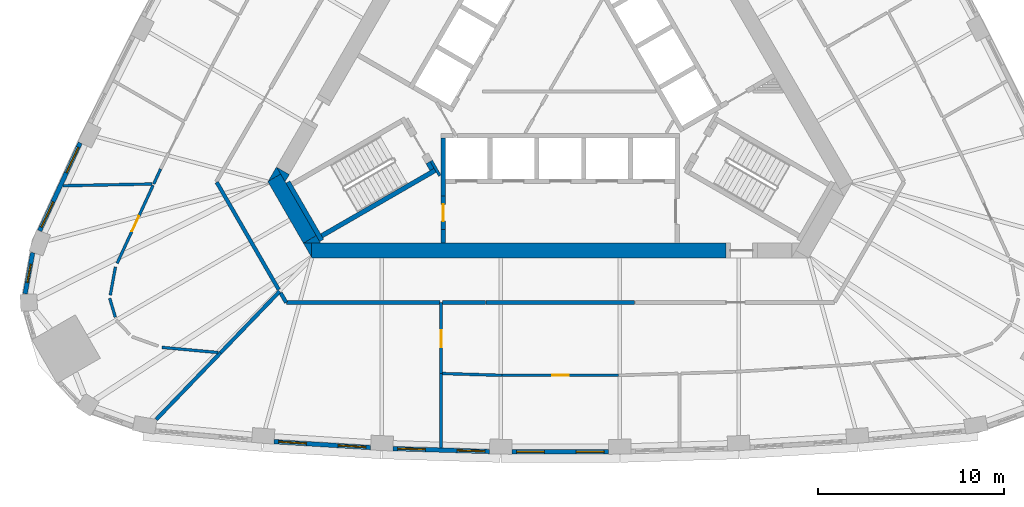
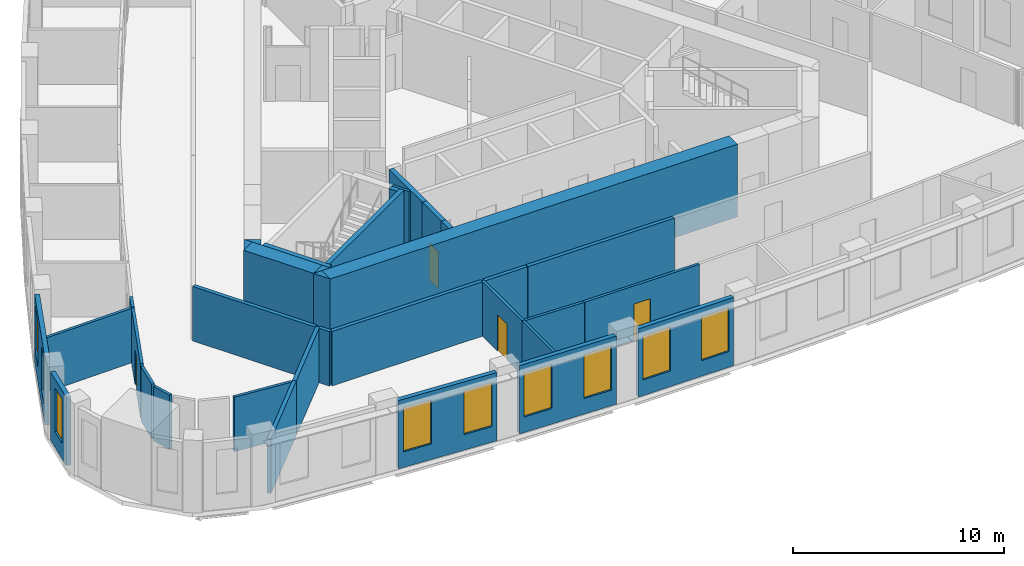
# One storey, part 3 of 11: 35 walls, 9 windows, 4 doors, 13 openings.
"""IFC4 building model written with IfcOpenShell, lengths in metres."""

from ifc_helpers import new_model, si_unit, direction, frame, frame_2d, origin, place, context, subcontext, project, spatial, polyline, rectangle, outline, extrude, material, layer, layer_set, type_object, element, fill, save


model = new_model("IFC4")

# Units and contexts
model_context = context("Model", 3, precision=1e-05, world=origin(), true_north=direction((0.0, 1.0)))
body_context = subcontext(model_context, "Body", "Model", "MODEL_VIEW")
ifc_project = project(units=[si_unit("LENGTHUNIT", "METRE"), si_unit("AREAUNIT", "SQUARE_METRE"), si_unit("VOLUMEUNIT", "CUBIC_METRE"), si_unit("PLANEANGLEUNIT", "RADIAN"), si_unit("MASSUNIT", "GRAM", prefix="KILO")], contexts=[model_context])

# Site, building, storey
site_placement = place(None, origin())
site = spatial("IfcSite", under=ifc_project, at=site_placement, CompositionType="ELEMENT")
building_placement = place(site_placement, origin())
building = spatial("IfcBuilding", under=site, at=building_placement, Name="Mestral Congress Tower", CompositionType="ELEMENT")
storey_placement = place(building_placement, frame((0.0, 0.0, 171.0)))
storey = spatial("IfcBuildingStorey", under=building, at=storey_placement, Name="L40", CompositionType="ELEMENT", Elevation=171.0)

# Walls
ifc_material_1 = material(Name="Concrete C60/75", Category="concrete")
ifc_layer_1 = layer(ifc_material_1, 0.800048828125)
ifc_layer_set_1 = layer_set([ifc_layer_1], Name="Concrete C60/75")
wall_type_1 = type_object("IfcWallType", Name="Core wall RC 800", PredefinedType="SOLIDWALL", material=ifc_layer_set_1)
wall_1_placement = place(storey_placement, frame((-13.377685546875, -10.050048828125, 0.0), z_axis=(0.0, 0.0, 1.0), x_axis=(1.0, 0.0, 0.0)))
element("IfcWall", 1, at=wall_1_placement, inside=storey, type_object=wall_type_1, Name="L40 core wall", PredefinedType="SOLIDWALL", context=body_context, shape_type="SweptSolid", body=[
    extrude(rectangle(XDim=22.281982421875, YDim=0.800048828125, at=frame_2d((11.14111328125, 0.0))), origin(), (0.0, 0.0, 1.0), 4.199951171875),
])
placement = place(storey_placement, origin())
element("IfcWall", 2, at=placement, inside=storey, type_object=wall_type_1, Name="L40 core wall", PredefinedType="SOLIDWALL", context=body_context, shape_type="SweptSolid", body=[
    extrude(outline(polyline([(-13.82763671875, -9.64990234375), (-13.379638671875, -9.64990234375), (-13.379638671875, -10.42578125), (-13.82763671875, -9.64990234375)])), origin(), (0.0, 0.0, 1.0), 4.199951171875),
])
wall_3_placement = place(storey_placement, frame((-15.392333984375, -6.1396484375, 0.0), z_axis=(0.0, 0.0, 1.0), x_axis=(0.499984020225, -0.866034629516, 0.0)))
element("IfcWall", 3, at=wall_3_placement, inside=storey, type_object=wall_type_1, Name="L40 core wall", PredefinedType="SOLIDWALL", context=body_context, shape_type="SweptSolid", body=[
    extrude(rectangle(XDim=3.824462890625, YDim=0.800048828125, at=frame_2d((1.912109375, 0.0))), origin(), (0.0, 0.0, 1.0), 4.199951171875),
])
element("IfcWall", 4, at=placement, inside=storey, type_object=wall_type_1, Name="L40 core wall", PredefinedType="SOLIDWALL", context=body_context, shape_type="SweptSolid", body=[
    extrude(outline(polyline([(-15.046875, -5.93798828125), (-15.718994140625, -6.325927734375), (-15.27099609375, -5.550048828125), (-15.046875, -5.93798828125)])), origin(), (0.0, 0.0, 1.0), 4.199951171875),
])
element("IfcWall", 5, at=placement, inside=storey, type_object=wall_type_1, Name="L40 core wall", PredefinedType="SOLIDWALL", context=body_context, shape_type="SweptSolid", body=[
    extrude(outline(polyline([(-12.90380859375, -9.64990234375), (-13.81982421875, -9.64990234375), (-13.1328125, -9.25341796875), (-12.90380859375, -9.64990234375)])), origin(), (0.0, 0.0, 1.0), 4.199951171875),
])
element("IfcWall", 6, at=placement, inside=storey, type_object=wall_type_1, Name="L40 core wall", PredefinedType="SOLIDWALL", context=body_context, shape_type="SweptSolid", body=[
    extrude(outline(polyline([(-14.80908203125, -6.35009765625), (-15.257080078125, -5.573974609375), (-14.5849609375, -5.9619140625), (-14.80908203125, -6.35009765625)])), origin(), (0.0, 0.0, 1.0), 4.199951171875),
])

# Wall, openings, windows
ifc_material_2 = material(Name="Precast concrete C40/50 with limestone facing", Category="masonry")
ifc_layer_2 = layer(ifc_material_2, 0.239990234375)
ifc_layer_set_2 = layer_set([ifc_layer_2], Name="Precast concrete C40/50 with limestone facing")
wall_type_2 = type_object("IfcWallType", Name="Facade stone wall 240", PredefinedType="SOLIDWALL", material=ifc_layer_set_2)
wall_7_placement = place(storey_placement, frame((-15.404541015625, -20.33837890625, 0.0), z_axis=(0.0, 0.0, 1.0), x_axis=(0.998135294646, -0.061040425794, 0.0)))
wall_7 = element("IfcWall", 7, at=wall_7_placement, inside=storey, type_object=wall_type_2, Name="Facade wall F0-01", PredefinedType="SOLIDWALL", context=body_context, shape_type="SweptSolid", body=[
    extrude(rectangle(XDim=5.20361328125, YDim=0.239990234375, at=frame_2d((2.601806640625, 0.0))), origin(), (0.0, 0.0, 1.0), 3.949951171875),
])
opening_1_placement = place(wall_7_placement, frame((0.248291015625, 0.0, 0.89990234375)))
opening_1 = element("IfcOpeningElement", 8, at=opening_1_placement, cuts=wall_7, Name="Opening W4", PredefinedType="OPENING", context=body_context, shape_type="SweptSolid", body=[
    extrude(rectangle(XDim=1.5, YDim=2.550048828125, at=frame_2d((0.75, 1.27490234375))), frame((0.0, 0.1298828125, 0.0), z_axis=(0.0, -1.0, 0.0), x_axis=(1.0, 0.0, 0.0)), (0.0, 0.0, 1.0), 0.260009765625),
])
opening_2_placement = place(wall_7_placement, frame((3.455078125, 0.0, 0.89990234375)))
opening_2 = element("IfcOpeningElement", 9, at=opening_2_placement, cuts=wall_7, Name="Opening W4", PredefinedType="OPENING", context=body_context, shape_type="SweptSolid", body=[
    extrude(rectangle(XDim=1.5, YDim=2.550048828125, at=frame_2d((0.75, 1.27490234375))), frame((0.0, 0.1298828125, 0.0), z_axis=(0.0, -1.0, 0.0), x_axis=(1.0, 0.0, 0.0)), (0.0, 0.0, 1.0), 0.260009765625),
])
ifc_material_3 = material(Name="Clear low-emissivity double glazing", Category="glass")
window_type_1 = type_object("IfcWindowType", Name="Facade punched window 1500 x 2550 sill 900", PartitioningType="SINGLE_PANEL", PredefinedType="WINDOW", material=ifc_material_3)
window_1_placement = place(opening_1_placement, origin())
window_1 = element("IfcWindow", 10, at=window_1_placement, inside=storey, type_object=window_type_1, Name="Window F0-01a", OverallHeight=2.550048828125, OverallWidth=1.5, PartitioningType="SINGLE_PANEL", PredefinedType="WINDOW", context=body_context, shape_type="SweptSolid", body=[
    extrude(rectangle(XDim=1.5, YDim=2.550048828125, at=frame_2d((0.75, 1.27490234375))), frame((0.0, 0.0400390625, 0.0), z_axis=(0.0, -1.0, 0.0), x_axis=(1.0, 0.0, 0.0)), (0.0, 0.0, 1.0), 0.06005859375),
])
fill(opening_1, window_1)
window_2_placement = place(opening_2_placement, origin())
window_2 = element("IfcWindow", 11, at=window_2_placement, inside=storey, type_object=window_type_1, Name="Window F0-01b", OverallHeight=2.550048828125, OverallWidth=1.5, PartitioningType="SINGLE_PANEL", PredefinedType="WINDOW", context=body_context, shape_type="SweptSolid", body=[
    extrude(rectangle(XDim=1.5, YDim=2.550048828125, at=frame_2d((0.75, 1.27490234375))), frame((0.0, 0.0400390625, 0.0), z_axis=(0.0, -1.0, 0.0), x_axis=(1.0, 0.0, 0.0)), (0.0, 0.0, 1.0), 0.06005859375),
])
fill(opening_2, window_2)

wall_8_placement = place(storey_placement, frame((-9.00732421875, -20.7109375, 0.0), z_axis=(0.0, 0.0, 1.0), x_axis=(0.999533441983, -0.030543384845, 0.0)))
wall_8 = element("IfcWall", 12, at=wall_8_placement, inside=storey, type_object=wall_type_2, Name="Facade wall F0-02", PredefinedType="SOLIDWALL", context=body_context, shape_type="SweptSolid", body=[
    extrude(rectangle(XDim=5.20361328125, YDim=0.239990234375, at=frame_2d((2.601806640625, 0.0))), origin(), (0.0, 0.0, 1.0), 3.949951171875),
])
opening_3_placement = place(wall_8_placement, frame((0.248291015625, 0.0, 0.89990234375)))
opening_3 = element("IfcOpeningElement", 13, at=opening_3_placement, cuts=wall_8, Name="Opening W4", PredefinedType="OPENING", context=body_context, shape_type="SweptSolid", body=[
    extrude(rectangle(XDim=1.5, YDim=2.550048828125, at=frame_2d((0.75, 1.27490234375))), frame((0.0, 0.1298828125, 0.0), z_axis=(0.0, -1.0, 0.0), x_axis=(1.0, 0.0, 0.0)), (0.0, 0.0, 1.0), 0.260009765625),
])
opening_4_placement = place(wall_8_placement, frame((3.455078125, 0.0, 0.89990234375)))
opening_4 = element("IfcOpeningElement", 14, at=opening_4_placement, cuts=wall_8, Name="Opening W4", PredefinedType="OPENING", context=body_context, shape_type="SweptSolid", body=[
    extrude(rectangle(XDim=1.5, YDim=2.550048828125, at=frame_2d((0.75, 1.27490234375))), frame((0.0, 0.1298828125, 0.0), z_axis=(0.0, -1.0, 0.0), x_axis=(1.0, 0.0, 0.0)), (0.0, 0.0, 1.0), 0.260009765625),
])
window_3_placement = place(opening_3_placement, origin())
window_3 = element("IfcWindow", 15, at=window_3_placement, inside=storey, type_object=window_type_1, Name="Window F0-02a", OverallHeight=2.550048828125, OverallWidth=1.5, PartitioningType="SINGLE_PANEL", PredefinedType="WINDOW", context=body_context, shape_type="SweptSolid", body=[
    extrude(rectangle(XDim=1.5, YDim=2.550048828125, at=frame_2d((0.75, 1.27490234375))), frame((0.0, 0.0400390625, 0.0), z_axis=(0.0, -1.0, 0.0), x_axis=(1.0, 0.0, 0.0)), (0.0, 0.0, 1.0), 0.06005859375),
])
fill(opening_3, window_3)
window_4_placement = place(opening_4_placement, origin())
window_4 = element("IfcWindow", 16, at=window_4_placement, inside=storey, type_object=window_type_1, Name="Window F0-02b", OverallHeight=2.550048828125, OverallWidth=1.5, PartitioningType="SINGLE_PANEL", PredefinedType="WINDOW", context=body_context, shape_type="SweptSolid", body=[
    extrude(rectangle(XDim=1.5, YDim=2.550048828125, at=frame_2d((0.75, 1.27490234375))), frame((0.0, 0.0400390625, 0.0), z_axis=(0.0, -1.0, 0.0), x_axis=(1.0, 0.0, 0.0)), (0.0, 0.0, 1.0), 0.06005859375),
])
fill(opening_4, window_4)

wall_9_placement = place(storey_placement, frame((-2.601806640625, -20.88818359375, 0.0), z_axis=(0.0, 0.0, 1.0), x_axis=(1.0, 0.0, 0.0)))
wall_9 = element("IfcWall", 17, at=wall_9_placement, inside=storey, type_object=wall_type_2, Name="Facade wall F0-03", PredefinedType="SOLIDWALL", context=body_context, shape_type="SweptSolid", body=[
    extrude(rectangle(XDim=5.20361328125, YDim=0.239990234375, at=frame_2d((2.601806640625, 0.0))), origin(), (0.0, 0.0, 1.0), 3.949951171875),
])
opening_5_placement = place(wall_9_placement, frame((0.248291015625, 0.0, 0.89990234375)))
opening_5 = element("IfcOpeningElement", 18, at=opening_5_placement, cuts=wall_9, Name="Opening W4", PredefinedType="OPENING", context=body_context, shape_type="SweptSolid", body=[
    extrude(rectangle(XDim=1.5, YDim=2.550048828125, at=frame_2d((0.75, 1.27490234375))), frame((0.0, 0.1298828125, 0.0), z_axis=(0.0, -1.0, 0.0), x_axis=(1.0, 0.0, 0.0)), (0.0, 0.0, 1.0), 0.260009765625),
])
opening_6_placement = place(wall_9_placement, frame((3.455078125, 0.0, 0.89990234375)))
opening_6 = element("IfcOpeningElement", 19, at=opening_6_placement, cuts=wall_9, Name="Opening W4", PredefinedType="OPENING", context=body_context, shape_type="SweptSolid", body=[
    extrude(rectangle(XDim=1.5, YDim=2.550048828125, at=frame_2d((0.75, 1.27490234375))), frame((0.0, 0.1298828125, 0.0), z_axis=(0.0, -1.0, 0.0), x_axis=(1.0, 0.0, 0.0)), (0.0, 0.0, 1.0), 0.260009765625),
])
window_5_placement = place(opening_5_placement, origin())
window_5 = element("IfcWindow", 20, at=window_5_placement, inside=storey, type_object=window_type_1, Name="Window F0-03a", OverallHeight=2.550048828125, OverallWidth=1.5, PartitioningType="SINGLE_PANEL", PredefinedType="WINDOW", context=body_context, shape_type="SweptSolid", body=[
    extrude(rectangle(XDim=1.5, YDim=2.550048828125, at=frame_2d((0.75, 1.27490234375))), frame((0.0, 0.0400390625, 0.0), z_axis=(0.0, -1.0, 0.0), x_axis=(1.0, 0.0, 0.0)), (0.0, 0.0, 1.0), 0.06005859375),
])
fill(opening_5, window_5)
window_6_placement = place(opening_6_placement, origin())
window_6 = element("IfcWindow", 21, at=window_6_placement, inside=storey, type_object=window_type_1, Name="Window F0-03b", OverallHeight=2.550048828125, OverallWidth=1.5, PartitioningType="SINGLE_PANEL", PredefinedType="WINDOW", context=body_context, shape_type="SweptSolid", body=[
    extrude(rectangle(XDim=1.5, YDim=2.550048828125, at=frame_2d((0.75, 1.27490234375))), frame((0.0, 0.0400390625, 0.0), z_axis=(0.0, -1.0, 0.0), x_axis=(1.0, 0.0, 0.0)), (0.0, 0.0, 1.0), 0.06005859375),
])
fill(opening_6, window_6)

wall_10_placement = place(storey_placement, frame((-25.8369140625, -4.2578125, 0.0), z_axis=(0.0, 0.0, 1.0), x_axis=(-0.418722559465, -0.908114209885, 0.0)))
wall_10 = element("IfcWall", 22, at=wall_10_placement, inside=storey, type_object=wall_type_2, Name="Facade wall F2-06", PredefinedType="SOLIDWALL", context=body_context, shape_type="SweptSolid", body=[
    extrude(rectangle(XDim=5.213134765625, YDim=0.239990234375, at=frame_2d((2.6064453125, 0.0))), origin(), (0.0, 0.0, 1.0), 3.949951171875),
])
opening_7_placement = place(wall_10_placement, frame((0.2607421875, 0.0, 0.89990234375)))
opening_7 = element("IfcOpeningElement", 23, at=opening_7_placement, cuts=wall_10, Name="Opening W4", PredefinedType="OPENING", context=body_context, shape_type="SweptSolid", body=[
    extrude(rectangle(XDim=1.5, YDim=2.550048828125, at=frame_2d((0.75, 1.27490234375))), frame((0.0, 0.1298828125, 0.0), z_axis=(0.0, -1.0, 0.0), x_axis=(1.0, 0.0, 0.0)), (0.0, 0.0, 1.0), 0.260009765625),
])
opening_8_placement = place(wall_10_placement, frame((3.492431640625, 0.0, 0.89990234375)))
opening_8 = element("IfcOpeningElement", 24, at=opening_8_placement, cuts=wall_10, Name="Opening W4", PredefinedType="OPENING", context=body_context, shape_type="SweptSolid", body=[
    extrude(rectangle(XDim=1.5, YDim=2.550048828125, at=frame_2d((0.75, 1.27490234375))), frame((0.0, 0.1298828125, 0.0), z_axis=(0.0, -1.0, 0.0), x_axis=(1.0, 0.0, 0.0)), (0.0, 0.0, 1.0), 0.260009765625),
])
window_7_placement = place(opening_7_placement, origin())
window_7 = element("IfcWindow", 25, at=window_7_placement, inside=storey, type_object=window_type_1, Name="Window F2-06a", OverallHeight=2.550048828125, OverallWidth=1.5, PartitioningType="SINGLE_PANEL", PredefinedType="WINDOW", context=body_context, shape_type="SweptSolid", body=[
    extrude(rectangle(XDim=1.5, YDim=2.550048828125, at=frame_2d((0.75, 1.27490234375))), frame((0.0, 0.0400390625, 0.0), z_axis=(0.0, -1.0, 0.0), x_axis=(1.0, 0.0, 0.0)), (0.0, 0.0, 1.0), 0.06005859375),
])
fill(opening_7, window_7)
window_8_placement = place(opening_8_placement, origin())
window_8 = element("IfcWindow", 26, at=window_8_placement, inside=storey, type_object=window_type_1, Name="Window F2-06b", OverallHeight=2.550048828125, OverallWidth=1.5, PartitioningType="SINGLE_PANEL", PredefinedType="WINDOW", context=body_context, shape_type="SweptSolid", body=[
    extrude(rectangle(XDim=1.5, YDim=2.550048828125, at=frame_2d((0.75, 1.27490234375))), frame((0.0, 0.0400390625, 0.0), z_axis=(0.0, -1.0, 0.0), x_axis=(1.0, 0.0, 0.0)), (0.0, 0.0, 1.0), 0.06005859375),
])
fill(opening_8, window_8)

# Wall, opening, window
wall_11_placement = place(storey_placement, frame((-28.392578125, -10.166748046875, 0.0), z_axis=(0.0, 0.0, 1.0), x_axis=(-0.180737189259, -0.983531427265, 0.0)))
wall_11 = element("IfcWall", 27, at=wall_11_placement, inside=storey, type_object=wall_type_2, Name="Facade wall K2-0", PredefinedType="SOLIDWALL", context=body_context, shape_type="SweptSolid", body=[
    extrude(rectangle(XDim=2.25048828125, YDim=0.239990234375, at=frame_2d((1.125244140625, 0.0))), origin(), (0.0, 0.0, 1.0), 3.949951171875),
])
opening_9_placement = place(wall_11_placement, frame((0.625244140625, 0.0, 0.89990234375)))
opening_9 = element("IfcOpeningElement", 28, at=opening_9_placement, cuts=wall_11, Name="Opening W5", PredefinedType="OPENING", context=body_context, shape_type="SweptSolid", body=[
    extrude(rectangle(XDim=1.0, YDim=2.550048828125, at=frame_2d((0.5, 1.27490234375))), frame((0.0, 0.1298828125, 0.0), z_axis=(0.0, -1.0, 0.0), x_axis=(1.0, 0.0, 0.0)), (0.0, 0.0, 1.0), 0.260009765625),
])
window_type_2 = type_object("IfcWindowType", Name="Facade punched window 1000 x 2550 sill 900", PartitioningType="SINGLE_PANEL", PredefinedType="WINDOW", material=ifc_material_3)
window_9_placement = place(opening_9_placement, origin())
window_9 = element("IfcWindow", 29, at=window_9_placement, inside=storey, type_object=window_type_2, Name="Window K2-0", OverallHeight=2.550048828125, OverallWidth=1.0, PartitioningType="SINGLE_PANEL", PredefinedType="WINDOW", context=body_context, shape_type="SweptSolid", body=[
    extrude(rectangle(XDim=1.0, YDim=2.550048828125, at=frame_2d((0.5, 1.27490234375))), frame((0.0, 0.0400390625, 0.0), z_axis=(0.0, -1.0, 0.0), x_axis=(1.0, 0.0, 0.0)), (0.0, 0.0, 1.0), 0.06005859375),
])
fill(opening_9, window_9)

# Wall
ifc_material_4 = material(Name="Plasterboard partition on steel studs", Category="steel")
ifc_layer_3 = layer(ifc_material_4, 0.14990234375)
ifc_layer_set_3 = layer_set([ifc_layer_3], Name="Plasterboard partition on steel studs")
wall_type_3 = type_object("IfcWallType", Name="Office partition 150", PredefinedType="PARTITIONING", material=ifc_layer_set_3)
wall_12_placement = place(storey_placement, frame((-6.412109375, -16.664306640625, 0.0), z_axis=(0.0, 0.0, 1.0), x_axis=(0.0, -1.0, 0.0)))
element("IfcWall", 30, at=wall_12_placement, inside=storey, type_object=wall_type_3, Name="Partition", PredefinedType="PARTITIONING", context=body_context, shape_type="SweptSolid", body=[
    extrude(rectangle(XDim=4.005859375, YDim=0.14990234375, at=frame_2d((2.0029296875, 0.0))), origin(), (0.0, 0.0, 1.0), 3.14990234375),
])

# Wall, opening, door
wall_13_placement = place(storey_placement, frame((-6.412109375, -16.67236328125, 0.0), z_axis=(0.0, 0.0, 1.0), x_axis=(0.0, 1.0, 0.0)))
wall_13 = element("IfcWall", 31, at=wall_13_placement, inside=storey, type_object=wall_type_3, Name="Partition", PredefinedType="PARTITIONING", context=body_context, shape_type="SweptSolid", body=[
    extrude(rectangle(XDim=3.822265625, YDim=0.14990234375, at=frame_2d((1.9111328125, 0.0))), origin(), (0.0, 0.0, 1.0), 3.14990234375),
])
opening_10_placement = place(wall_13_placement, frame((1.42236328125, 0.0, 0.0)))
opening_10 = element("IfcOpeningElement", 32, at=opening_10_placement, cuts=wall_13, Name="Opening O03-001", PredefinedType="OPENING", context=body_context, shape_type="SweptSolid", body=[
    extrude(rectangle(XDim=0.89990234375, YDim=2.10009765625, at=frame_2d((0.449951171875, 1.050048828125))), frame((0.0, 0.0849609375, 0.0), z_axis=(0.0, -1.0, 0.0), x_axis=(1.0, 0.0, 0.0)), (0.0, 0.0, 1.0), 0.169921875),
])
ifc_material_5 = material(Name="Timber door set", Category="wood")
door_type_1 = type_object("IfcDoorType", Name="Office door 900x2100", OperationType="SINGLE_SWING_LEFT", PredefinedType="DOOR", material=ifc_material_5)
door_1_placement = place(opening_10_placement, origin())
door_1 = element("IfcDoor", 33, at=door_1_placement, inside=storey, type_object=door_type_1, Name="Door O03-001", OperationType="SINGLE_SWING_LEFT", OverallHeight=2.10009765625, OverallWidth=0.89990234375, PredefinedType="DOOR", context=body_context, shape_type="SweptSolid", body=[
    extrude(rectangle(XDim=0.89990234375, YDim=2.10009765625, at=frame_2d((0.449951171875, 1.050048828125))), frame((0.0, 0.02490234375, 0.0), z_axis=(0.0, -1.0, 0.0), x_axis=(1.0, 0.0, 0.0)), (0.0, 0.0, 1.0), 0.050048828125),
])
fill(opening_10, door_1)

# Wall
wall_14_placement = place(storey_placement, frame((-6.3369140625, -16.670654296875, 0.0), z_axis=(0.0, 0.0, 1.0), x_axis=(0.999533369646, -0.030545751995, 0.0)))
element("IfcWall", 34, at=wall_14_placement, inside=storey, type_object=wall_type_3, Name="Partition", PredefinedType="PARTITIONING", context=body_context, shape_type="SweptSolid", body=[
    extrude(rectangle(XDim=3.197021484375, YDim=0.14990234375, at=frame_2d((1.5986328125, 0.0))), origin(), (0.0, 0.0, 1.0), 3.14990234375),
])

# Wall, opening, door
wall_15_placement = place(storey_placement, frame((3.141357421875, -16.768310546875, 0.0), z_axis=(0.0, 0.0, 1.0), x_axis=(-1.0, 0.0, 0.0)))
wall_15 = element("IfcWall", 35, at=wall_15_placement, inside=storey, type_object=wall_type_3, Name="Partition", PredefinedType="PARTITIONING", context=body_context, shape_type="SweptSolid", body=[
    extrude(rectangle(XDim=6.28271484375, YDim=0.14990234375, at=frame_2d((3.141357421875, 0.0))), origin(), (0.0, 0.0, 1.0), 3.14990234375),
])
opening_11_placement = place(wall_15_placement, frame((2.6826171875, 0.0, 0.0)))
opening_11 = element("IfcOpeningElement", 36, at=opening_11_placement, cuts=wall_15, Name="Opening O03-002", PredefinedType="OPENING", context=body_context, shape_type="SweptSolid", body=[
    extrude(rectangle(XDim=0.89990234375, YDim=2.10009765625, at=frame_2d((0.449951171875, 1.050048828125))), frame((0.0, 0.0849609375, 0.0), z_axis=(0.0, -1.0, 0.0), x_axis=(1.0, 0.0, 0.0)), (0.0, 0.0, 1.0), 0.169921875),
])
door_2_placement = place(opening_11_placement, origin())
door_2 = element("IfcDoor", 37, at=door_2_placement, inside=storey, type_object=door_type_1, Name="Door O03-002", OperationType="SINGLE_SWING_LEFT", OverallHeight=2.10009765625, OverallWidth=0.89990234375, PredefinedType="DOOR", context=body_context, shape_type="SweptSolid", body=[
    extrude(rectangle(XDim=0.89990234375, YDim=2.10009765625, at=frame_2d((0.449951171875, 1.050048828125))), frame((0.0, 0.02490234375, 0.0), z_axis=(0.0, -1.0, 0.0), x_axis=(1.0, 0.0, 0.0)), (0.0, 0.0, 1.0), 0.050048828125),
])
fill(opening_11, door_2)

# Walls
wall_16_placement = place(storey_placement, frame((-21.5087890625, -5.666015625, 0.0), z_axis=(0.0, 0.0, 1.0), x_axis=(-0.4188658149, -0.908048142506, 0.0)))
element("IfcWall", 38, at=wall_16_placement, inside=storey, type_object=wall_type_3, Name="Partition", PredefinedType="PARTITIONING", context=body_context, shape_type="SweptSolid", body=[
    extrude(rectangle(XDim=0.88525390625, YDim=0.14990234375, at=frame_2d((0.442626953125, 0.0))), origin(), (0.0, 0.0, 1.0), 3.14990234375),
])
wall_17_placement = place(storey_placement, frame((-21.962890625, -6.4716796875, 0.0), z_axis=(0.0, 0.0, 1.0), x_axis=(-0.999809788098, -0.019503528505, 0.0)))
element("IfcWall", 39, at=wall_17_placement, inside=storey, type_object=wall_type_3, Name="Partition", PredefinedType="PARTITIONING", context=body_context, shape_type="SweptSolid", body=[
    extrude(rectangle(XDim=4.806884765625, YDim=0.14990234375, at=frame_2d((2.4033203125, 0.0))), origin(), (0.0, 0.0, 1.0), 3.14990234375),
])
wall_18_placement = place(storey_placement, frame((-18.412109375, -15.54150390625, 0.0), z_axis=(0.0, 0.0, 1.0), x_axis=(-0.995812481052, 0.091419377496, 0.0)))
element("IfcWall", 40, at=wall_18_placement, inside=storey, type_object=wall_type_3, Name="Partition", PredefinedType="PARTITIONING", context=body_context, shape_type="SweptSolid", body=[
    extrude(rectangle(XDim=3.0390625, YDim=0.14990234375, at=frame_2d((1.51953125, 0.0))), origin(), (0.0, 0.0, 1.0), 3.14990234375),
])
wall_19_placement = place(storey_placement, frame((-23.944580078125, -13.638427734375, 0.0), z_axis=(0.0, 0.0, 1.0), x_axis=(-0.284463225945, 0.9586869526, 0.0)))
element("IfcWall", 41, at=wall_19_placement, inside=storey, type_object=wall_type_3, Name="Partition", PredefinedType="PARTITIONING", context=body_context, shape_type="SweptSolid", body=[
    extrude(rectangle(XDim=1.064208984375, YDim=0.14990234375, at=frame_2d((0.5322265625, 0.0))), origin(), (0.0, 0.0, 1.0), 3.14990234375),
])
wall_20_placement = place(storey_placement, frame((-24.21728515625, -12.455078125, 0.0), z_axis=(0.0, 0.0, 1.0), x_axis=(0.180635934027, 0.983550028894, 0.0)))
element("IfcWall", 42, at=wall_20_placement, inside=storey, type_object=wall_type_3, Name="Partition", PredefinedType="PARTITIONING", context=body_context, shape_type="SweptSolid", body=[
    extrude(rectangle(XDim=1.546142578125, YDim=0.14990234375, at=frame_2d((0.77294921875, 0.0))), origin(), (0.0, 0.0, 1.0), 3.14990234375),
])

# Wall, opening, door
wall_21_placement = place(storey_placement, frame((-23.848388671875, -10.73974609375, 0.0), z_axis=(0.0, 0.0, 1.0), x_axis=(0.418723219841, 0.908113905392, 0.0)))
wall_21 = element("IfcWall", 43, at=wall_21_placement, inside=storey, type_object=wall_type_3, Name="Partition", PredefinedType="PARTITIONING", context=body_context, shape_type="SweptSolid", body=[
    extrude(rectangle(XDim=4.62255859375, YDim=0.14990234375, at=frame_2d((2.311279296875, 0.0))), origin(), (0.0, 0.0, 1.0), 3.14990234375),
])
opening_12_placement = place(wall_21_placement, frame((1.89990234375, 0.0, 0.0)))
opening_12 = element("IfcOpeningElement", 44, at=opening_12_placement, cuts=wall_21, Name="Opening O03-021", PredefinedType="OPENING", context=body_context, shape_type="SweptSolid", body=[
    extrude(rectangle(XDim=0.89990234375, YDim=2.10009765625, at=frame_2d((0.449951171875, 1.050048828125))), frame((0.0, 0.0849609375, 0.0), z_axis=(0.0, -1.0, 0.0), x_axis=(1.0, 0.0, 0.0)), (0.0, 0.0, 1.0), 0.169921875),
])
door_3_placement = place(opening_12_placement, origin())
door_3 = element("IfcDoor", 45, at=door_3_placement, inside=storey, type_object=door_type_1, Name="Door O03-021", OperationType="SINGLE_SWING_RIGHT", OverallHeight=2.10009765625, OverallWidth=0.89990234375, PredefinedType="DOOR", context=body_context, shape_type="SweptSolid", body=[
    extrude(rectangle(XDim=0.89990234375, YDim=2.10009765625, at=frame_2d((0.449951171875, 1.050048828125))), frame((0.0, 0.02490234375, 0.0), z_axis=(0.0, -1.0, 0.0), x_axis=(1.0, 0.0, 0.0)), (0.0, 0.0, 1.0), 0.050048828125),
])
fill(opening_12, door_3)

# Walls
ifc_material_6 = material(Name="Dense masonry wall, plastered", Category="masonry")
ifc_layer_4 = layer(ifc_material_6, 0.199951171875)
ifc_layer_set_4 = layer_set([ifc_layer_4], Name="Dense masonry wall, plastered")
wall_type_4 = type_object("IfcWallType", Name="Office tenancy wall 200", PredefinedType="PARTITIONING", material=ifc_layer_set_4)
wall_22_placement = place(storey_placement, frame((-18.2880859375, -15.55712890625, 0.0), z_axis=(0.0, 0.0, 1.0), x_axis=(0.693944823318, 0.720028181525, 0.0)))
element("IfcWall", 46, at=wall_22_placement, inside=storey, type_object=wall_type_4, Name="Tenancy wall", PredefinedType="PARTITIONING", context=body_context, shape_type="SweptSolid", body=[
    extrude(rectangle(XDim=4.595703125, YDim=0.199951171875, at=frame_2d((2.2978515625, 0.0))), origin(), (0.0, 0.0, 1.0), 3.14990234375),
])
wall_23_placement = place(storey_placement, frame((-21.741943359375, -19.140380859375, 0.0), z_axis=(0.0, 0.0, 1.0), x_axis=(0.693986944276, 0.719987584042, 0.0)))
element("IfcWall", 47, at=wall_23_placement, inside=storey, type_object=wall_type_4, Name="Tenancy wall", PredefinedType="PARTITIONING", context=body_context, shape_type="SweptSolid", body=[
    extrude(rectangle(XDim=4.986083984375, YDim=0.199951171875, at=frame_2d((2.4931640625, 0.0))), origin(), (0.0, 0.0, 1.0), 3.14990234375),
])
wall_24_placement = place(storey_placement, frame((-15.046875, -12.338134765625, 0.0), z_axis=(0.0, 0.0, 1.0), x_axis=(0.500091824179, -0.865972382579, 0.0)))
element("IfcWall", 48, at=wall_24_placement, inside=storey, type_object=wall_type_4, Name="Tenancy wall", PredefinedType="PARTITIONING", context=body_context, shape_type="SweptSolid", body=[
    extrude(rectangle(XDim=0.59130859375, YDim=0.199951171875, at=frame_2d((0.295654296875, 0.0))), origin(), (0.0, 0.0, 1.0), 3.14990234375),
])
wall_25_placement = place(storey_placement, frame((-14.72119140625, -12.85009765625, 0.0), z_axis=(0.0, 0.0, 1.0), x_axis=(1.0, 0.0, 0.0)))
element("IfcWall", 49, at=wall_25_placement, inside=storey, type_object=wall_type_4, Name="Tenancy wall", PredefinedType="PARTITIONING", context=body_context, shape_type="SweptSolid", body=[
    extrude(rectangle(XDim=8.234130859375, YDim=0.199951171875, at=frame_2d((4.1171875, 0.0))), origin(), (0.0, 0.0, 1.0), 3.14990234375),
])
wall_26_placement = place(storey_placement, frame((-4.00390625, -12.85009765625, 0.0), z_axis=(0.0, 0.0, 1.0), x_axis=(1.0, 0.0, 0.0)))
element("IfcWall", 50, at=wall_26_placement, inside=storey, type_object=wall_type_4, Name="Tenancy wall", PredefinedType="PARTITIONING", context=body_context, shape_type="SweptSolid", body=[
    extrude(rectangle(XDim=8.0078125, YDim=0.199951171875, at=frame_2d((4.00390625, 0.0))), origin(), (0.0, 0.0, 1.0), 3.14990234375),
])
wall_27_placement = place(storey_placement, frame((-6.3369140625, -12.85009765625, 0.0), z_axis=(0.0, 0.0, 1.0), x_axis=(1.0, 0.0, 0.0)))
element("IfcWall", 51, at=wall_27_placement, inside=storey, type_object=wall_type_4, Name="Tenancy wall", PredefinedType="PARTITIONING", context=body_context, shape_type="SweptSolid", body=[
    extrude(rectangle(XDim=2.302978515625, YDim=0.199951171875, at=frame_2d((1.1513671875, 0.0))), origin(), (0.0, 0.0, 1.0), 3.14990234375),
])
wall_28_placement = place(storey_placement, frame((-18.489013671875, -6.3759765625, 0.0), z_axis=(0.0, 0.0, 1.0), x_axis=(0.499989401968, -0.866031522475, 0.0)))
element("IfcWall", 52, at=wall_28_placement, inside=storey, type_object=wall_type_4, Name="Tenancy wall", PredefinedType="PARTITIONING", context=body_context, shape_type="SweptSolid", body=[
    extrude(rectangle(XDim=6.676513671875, YDim=0.199951171875, at=frame_2d((3.33837890625, 0.0))), origin(), (0.0, 0.0, 1.0), 3.14990234375),
])
ifc_layer_5 = layer(ifc_material_1, 0.25)
ifc_layer_set_5 = layer_set([ifc_layer_5], Name="Concrete C60/75")
wall_type_5 = type_object("IfcWallType", Name="Shaft wall RC 250", PredefinedType="SOLIDWALL", material=ifc_layer_set_5)
wall_29_placement = place(storey_placement, frame((-6.300048828125, -8.9248046875, 0.0), z_axis=(0.0, 0.0, 1.0), x_axis=(0.0, -1.0, 0.0)))
element("IfcWall", 53, at=wall_29_placement, inside=storey, type_object=wall_type_5, Name="L40 core wall", PredefinedType="SOLIDWALL", context=body_context, shape_type="SweptSolid", body=[
    extrude(rectangle(XDim=0.72509765625, YDim=0.25, at=frame_2d((0.362548828125, 0.0))), origin(), (0.0, 0.0, 1.0), 4.199951171875),
])
wall_30_placement = place(storey_placement, frame((-6.300048828125, -7.12451171875, 0.0), z_axis=(0.0, 0.0, 1.0), x_axis=(0.0, 1.0, 0.0)))
element("IfcWall", 54, at=wall_30_placement, inside=storey, type_object=wall_type_5, Name="L40 core wall", PredefinedType="SOLIDWALL", context=body_context, shape_type="SweptSolid", body=[
    extrude(rectangle(XDim=3.12451171875, YDim=0.25, at=frame_2d((1.562255859375, 0.0))), origin(), (0.0, 0.0, 1.0), 4.199951171875),
])

# Wall, opening, door
wall_31_placement = place(storey_placement, frame((-6.300048828125, -7.12451171875, 0.0), z_axis=(0.0, 0.0, 1.0), x_axis=(0.0, -1.0, 0.0)))
wall_31 = element("IfcWall", 55, at=wall_31_placement, inside=storey, type_object=wall_type_5, Name="L40 door wall", PredefinedType="SOLIDWALL", context=body_context, shape_type="SweptSolid", body=[
    extrude(rectangle(XDim=1.800048828125, YDim=0.25, at=frame_2d((0.89990234375, 0.0))), origin(), (0.0, 0.0, 1.0), 4.199951171875),
])
opening_13_placement = place(wall_31_placement, frame((0.449951171875, 0.0, 0.0)))
opening_13 = element("IfcOpeningElement", 56, at=opening_13_placement, cuts=wall_31, Name="Opening TD3", PredefinedType="OPENING", context=body_context, shape_type="SweptSolid", body=[
    extrude(rectangle(XDim=0.89990234375, YDim=2.10009765625, at=frame_2d((0.449951171875, 1.050048828125))), frame((0.0, 0.135009765625, 0.0), z_axis=(0.0, -1.0, 0.0), x_axis=(1.0, 0.0, 0.0)), (0.0, 0.0, 1.0), 0.27001953125),
])
ifc_material_7 = material(Name="Fire-rated steel door set", Category="steel")
door_type_2 = type_object("IfcDoorType", Name="Core door SR 900x2100", OperationType="SINGLE_SWING_LEFT", PredefinedType="DOOR", material=ifc_material_7)
door_4_placement = place(opening_13_placement, origin())
door_4 = element("IfcDoor", 57, at=door_4_placement, inside=storey, type_object=door_type_2, Name="Door TD3", OperationType="SINGLE_SWING_LEFT", OverallHeight=2.10009765625, OverallWidth=0.89990234375, PredefinedType="DOOR", context=body_context, shape_type="SweptSolid", body=[
    extrude(rectangle(XDim=0.89990234375, YDim=2.10009765625, at=frame_2d((0.449951171875, 1.050048828125))), frame((0.0, 0.02490234375, 0.0), z_axis=(0.0, -1.0, 0.0), x_axis=(1.0, 0.0, 0.0)), (0.0, 0.0, 1.0), 0.050048828125),
])
fill(opening_13, door_4)

# Walls
ifc_layer_6 = layer(ifc_material_1, 0.14990234375)
ifc_layer_set_6 = layer_set([ifc_layer_6], Name="Concrete C60/75")
wall_type_6 = type_object("IfcWallType", Name="Shaft wall RC 250 door-wall 150", PredefinedType="SOLIDWALL", material=ifc_layer_set_6)
wall_32_placement = place(storey_placement, frame((-6.48046875, -6.026611328125, 0.0), z_axis=(0.0, 0.0, 1.0), x_axis=(-0.499927229454, 0.866067413802, 0.0)))
element("IfcWall", 58, at=wall_32_placement, inside=storey, type_object=wall_type_6, Name="L40 core wall", PredefinedType="PARTITIONING", context=body_context, shape_type="SweptSolid", body=[
    extrude(rectangle(XDim=0.928955078125, YDim=0.14990234375, at=frame_2d((0.46435546875, 0.0))), origin(), (0.0, 0.0, 1.0), 4.199951171875),
])
ifc_layer_7 = layer(ifc_material_1, 0.25)
ifc_layer_set_7 = layer_set([ifc_layer_7], Name="Concrete C60/75")
wall_type_7 = type_object("IfcWallType", Name="Stair wall RC 250", PredefinedType="SOLIDWALL", material=ifc_layer_set_7)
wall_33_placement = place(storey_placement, frame((-12.839599609375, -9.510986328125, 0.0), z_axis=(0.0, 0.0, 1.0), x_axis=(-0.499997733992, 0.866026712061, 0.0)))
element("IfcWall", 59, at=wall_33_placement, inside=storey, type_object=wall_type_7, Name="L40 core wall", PredefinedType="SOLIDWALL", context=body_context, shape_type="SweptSolid", body=[
    extrude(rectangle(XDim=3.6337890625, YDim=0.25, at=frame_2d((1.81689453125, 0.0))), origin(), (0.0, 0.0, 1.0), 4.199951171875),
])
wall_34_placement = place(storey_placement, frame((-12.83984375, -9.2607421875, 0.0), z_axis=(0.0, 0.0, 1.0), x_axis=(0.866016039709, 0.500016218704, 0.0)))
element("IfcWall", 60, at=wall_34_placement, inside=storey, type_object=wall_type_7, Name="L40 core wall", PredefinedType="SOLIDWALL", context=body_context, shape_type="SweptSolid", body=[
    extrude(rectangle(XDim=7.050048828125, YDim=0.25, at=frame_2d((3.52490234375, 0.0))), origin(), (0.0, 0.0, 1.0), 4.199951171875),
])
wall_35_placement = place(storey_placement, frame((-6.905029296875, -5.68994140625, 0.0), z_axis=(0.0, 0.0, 1.0), x_axis=(-0.500402024738, 0.865793170242, 0.0)))
element("IfcWall", 61, at=wall_35_placement, inside=storey, type_object=wall_type_7, Name="L40 core wall", PredefinedType="SOLIDWALL", context=body_context, shape_type="SweptSolid", body=[
    extrude(rectangle(XDim=0.425048828125, YDim=0.25, at=frame_2d((0.21240234375, 0.0))), origin(), (0.0, 0.0, 1.0), 4.199951171875),
])

save(model, "model.ifc")
